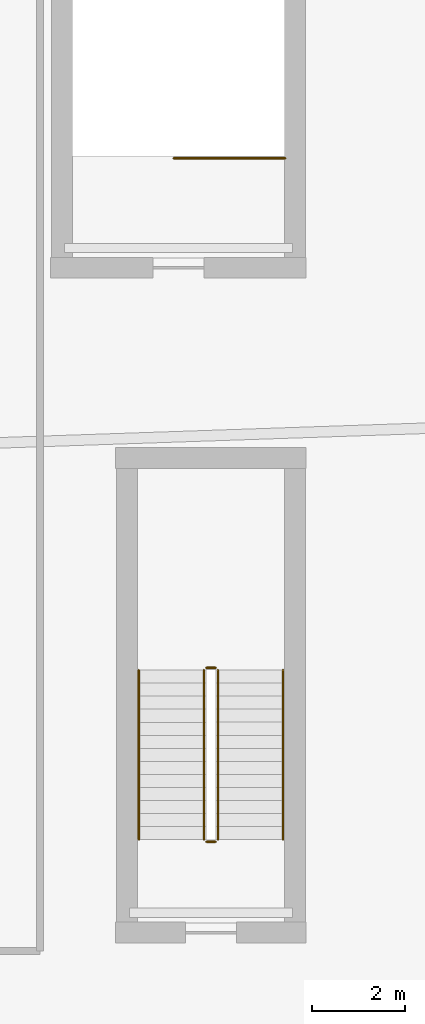
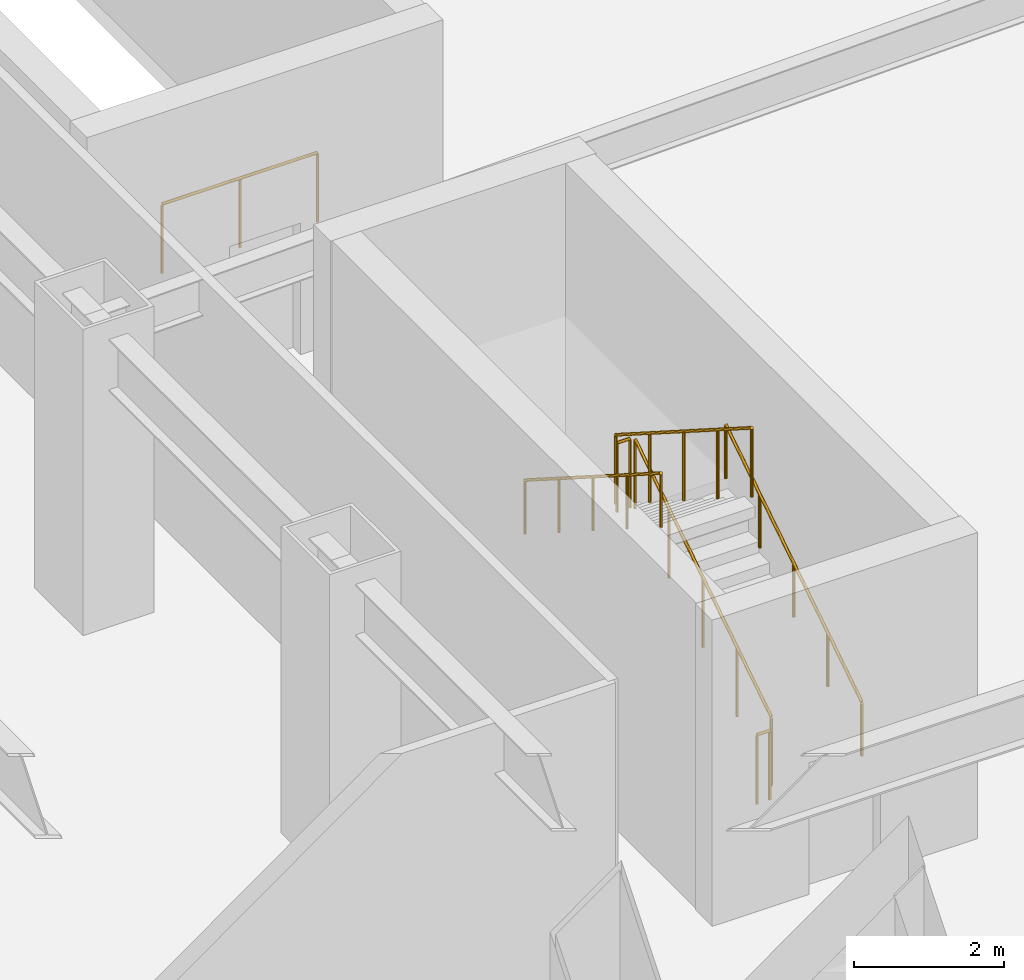
# One storey, part 13 of 14: 7 railings.
"""IFC4 building model written with IfcOpenShell, lengths in metres."""

from ifc_helpers import new_model, si_unit, derived_unit, direction, frame, origin, origin_2d, place, context, subcontext, project, spatial, circle, extrude, material, type_object, element, save


model = new_model("IFC4")

# Units and contexts
model_context = context("Model", 3, precision=1e-05, world=origin(), true_north=direction((0.0, 1.0)))
body_context = subcontext(model_context, "Body", "Model", "MODEL_VIEW")
ifc_project = project(units=[si_unit("LENGTHUNIT", "METRE"), si_unit("AREAUNIT", "SQUARE_METRE"), si_unit("VOLUMEUNIT", "CUBIC_METRE"), si_unit("PLANEANGLEUNIT", "RADIAN"), si_unit("MASSUNIT", "GRAM", prefix="KILO"), derived_unit("THERMALTRANSMITTANCEUNIT", [(si_unit("POWERUNIT", "WATT"), 1), (si_unit("LENGTHUNIT", "METRE"), -2), (si_unit("THERMODYNAMICTEMPERATUREUNIT", "KELVIN"), -1)])], contexts=[model_context])

# Site, building, storey
site_placement = place(None, origin())
site = spatial("IfcSite", under=ifc_project, at=site_placement, CompositionType="ELEMENT")
building_placement = place(site_placement, origin())
building = spatial("IfcBuilding", under=site, at=building_placement, Name="Skarnbrae Concourse Arena and Tower", CompositionType="ELEMENT")
storey_placement = place(building_placement, frame((0.0, 0.0, 21.0)))
storey = spatial("IfcBuildingStorey", under=building, at=storey_placement, Name="L04", CompositionType="ELEMENT", Elevation=21.0)

# Railings
ifc_material = material(Name="Steel CSA G40.21 350W", Category="steel")
railing_type_1 = type_object("IfcRailingType", Name="RAIL-HANDRAIL-900", PredefinedType="HANDRAIL", material=ifc_material)
railing_1_placement = place(storey_placement, frame((67.949951171875, 19.300048828125, 0.178466796875)))
element("IfcRailing", 1, at=railing_1_placement, inside=storey, type_object=railing_type_1, Name="L04 ST-A2 stair handrail 1", PredefinedType="HANDRAIL", context=body_context, shape_type="SweptSolid", body=[
    extrude(circle(Radius=0.02392578125, at=origin_2d()), frame((0.0, 0.0, 0.8759765625), z_axis=(0.0, 0.843111507901, 0.53773877045), x_axis=(-1.0, 0.0, 0.0)), (0.0, 0.0, 1.0), 4.317138671875),
    extrude(circle(Radius=0.02099609375, at=origin_2d()), origin(), (0.0, 0.0, 1.0), 0.851806640625),
    extrude(circle(Radius=0.02099609375, at=origin_2d()), frame((0.0, 0.909912109375, 0.580322265625)), (0.0, 0.0, 1.0), 0.851806640625),
    extrude(circle(Radius=0.02099609375, at=origin_2d()), frame((0.0, 1.81982421875, 1.16064453125)), (0.0, 0.0, 1.0), 0.851806640625),
    extrude(circle(Radius=0.02099609375, at=origin_2d()), frame((0.0, 2.72998046875, 1.7412109375)), (0.0, 0.0, 1.0), 0.851806640625),
    extrude(circle(Radius=0.02099609375, at=origin_2d()), frame((0.0, 3.639892578125, 2.321533203125)), (0.0, 0.0, 1.0), 0.851806640625),
])
railing_2_placement = place(storey_placement, frame((64.85009765625, 22.93994140625, 2.678466796875)))
element("IfcRailing", 2, at=railing_2_placement, inside=storey, type_object=railing_type_1, Name="L04 ST-A2 stair handrail 2", PredefinedType="HANDRAIL", context=body_context, shape_type="SweptSolid", body=[
    extrude(circle(Radius=0.02392578125, at=origin_2d()), frame((0.0, 0.0, 0.8759765625), z_axis=(0.0, -0.843111507901, 0.53773877045), x_axis=(1.0, 0.0, 0.0)), (0.0, 0.0, 1.0), 4.317138671875),
    extrude(circle(Radius=0.02099609375, at=origin_2d()), origin(), (0.0, 0.0, 1.0), 0.851806640625),
    extrude(circle(Radius=0.02099609375, at=origin_2d()), frame((0.0, -0.909912109375, 0.580322265625)), (0.0, 0.0, 1.0), 0.851806640625),
    extrude(circle(Radius=0.02099609375, at=origin_2d()), frame((0.0, -1.81982421875, 1.16064453125)), (0.0, 0.0, 1.0), 0.851806640625),
    extrude(circle(Radius=0.02099609375, at=origin_2d()), frame((0.0, -2.72998046875, 1.7412109375)), (0.0, 0.0, 1.0), 0.851806640625),
    extrude(circle(Radius=0.02099609375, at=origin_2d()), frame((0.0, -3.639892578125, 2.321533203125)), (0.0, 0.0, 1.0), 0.851806640625),
])
railing_type_2 = type_object("IfcRailingType", Name="RAIL-STAIR-GUARD-1150", PredefinedType="GUARDRAIL", material=ifc_material)
railing_3_placement = place(storey_placement, frame((66.550048828125, 19.300048828125, 0.178466796875)))
element("IfcRailing", 3, at=railing_3_placement, inside=storey, type_object=railing_type_2, Name="L04 ST-A2 stair guard 1", PredefinedType="GUARDRAIL", context=body_context, shape_type="SweptSolid", body=[
    extrude(circle(Radius=0.02392578125, at=origin_2d()), frame((0.0, 0.0, 1.1259765625), z_axis=(0.0, 0.843111507901, 0.53773877045), x_axis=(-1.0, 0.0, 0.0)), (0.0, 0.0, 1.0), 4.317138671875),
    extrude(circle(Radius=0.02099609375, at=origin_2d()), origin(), (0.0, 0.0, 1.0), 1.101806640625),
    extrude(circle(Radius=0.02099609375, at=origin_2d()), frame((0.0, 0.909912109375, 0.580322265625)), (0.0, 0.0, 1.0), 1.101806640625),
    extrude(circle(Radius=0.02099609375, at=origin_2d()), frame((0.0, 1.81982421875, 1.16064453125)), (0.0, 0.0, 1.0), 1.101806640625),
    extrude(circle(Radius=0.02099609375, at=origin_2d()), frame((0.0, 2.72998046875, 1.7412109375)), (0.0, 0.0, 1.0), 1.101806640625),
    extrude(circle(Radius=0.02099609375, at=origin_2d()), frame((0.0, 3.639892578125, 2.321533203125)), (0.0, 0.0, 1.0), 1.101806640625),
])
railing_4_placement = place(storey_placement, frame((66.5, 22.989990234375, 2.5)))
element("IfcRailing", 4, at=railing_4_placement, inside=storey, type_object=railing_type_2, Name="L04 ST-A2 stair guard 2", PredefinedType="GUARDRAIL", context=body_context, shape_type="SweptSolid", body=[
    extrude(circle(Radius=0.02392578125, at=origin_2d()), frame((0.0, 0.0, 1.1259765625), z_axis=(-1.0, 0.0, 0.0), x_axis=(0.0, -1.0, 0.0)), (0.0, 0.0, 1.0), 0.199951171875),
    extrude(circle(Radius=0.02099609375, at=origin_2d()), origin(), (0.0, 0.0, 1.0), 1.101806640625),
    extrude(circle(Radius=0.02099609375, at=origin_2d()), frame((-0.199951171875, 0.0, 0.0)), (0.0, 0.0, 1.0), 1.101806640625),
])
railing_5_placement = place(storey_placement, frame((66.25, 22.93994140625, 2.678466796875)))
element("IfcRailing", 5, at=railing_5_placement, inside=storey, type_object=railing_type_2, Name="L04 ST-A2 stair guard 3", PredefinedType="GUARDRAIL", context=body_context, shape_type="SweptSolid", body=[
    extrude(circle(Radius=0.02392578125, at=origin_2d()), frame((0.0, 0.0, 1.1259765625), z_axis=(0.0, -0.843111507901, 0.53773877045), x_axis=(1.0, 0.0, 0.0)), (0.0, 0.0, 1.0), 4.317138671875),
    extrude(circle(Radius=0.02099609375, at=origin_2d()), origin(), (0.0, 0.0, 1.0), 1.101806640625),
    extrude(circle(Radius=0.02099609375, at=origin_2d()), frame((0.0, -0.909912109375, 0.580322265625)), (0.0, 0.0, 1.0), 1.101806640625),
    extrude(circle(Radius=0.02099609375, at=origin_2d()), frame((0.0, -1.81982421875, 1.16064453125)), (0.0, 0.0, 1.0), 1.101806640625),
    extrude(circle(Radius=0.02099609375, at=origin_2d()), frame((0.0, -2.72998046875, 1.7412109375)), (0.0, 0.0, 1.0), 1.101806640625),
    extrude(circle(Radius=0.02099609375, at=origin_2d()), frame((0.0, -3.639892578125, 2.321533203125)), (0.0, 0.0, 1.0), 1.101806640625),
])
railing_6_placement = place(storey_placement, frame((66.5, 19.25, 0.0)))
element("IfcRailing", 6, at=railing_6_placement, inside=storey, type_object=railing_type_2, Name="L04 ST-A2 stair guard 4", PredefinedType="GUARDRAIL", context=body_context, shape_type="SweptSolid", body=[
    extrude(circle(Radius=0.02392578125, at=origin_2d()), frame((0.0, 0.0, 1.1259765625), z_axis=(-1.0, 0.0, 0.0), x_axis=(0.0, -1.0, 0.0)), (0.0, 0.0, 1.0), 0.199951171875),
    extrude(circle(Radius=0.02099609375, at=origin_2d()), origin(), (0.0, 0.0, 1.0), 1.101806640625),
    extrude(circle(Radius=0.02099609375, at=origin_2d()), frame((-0.199951171875, 0.0, 0.0)), (0.0, 0.0, 1.0), 1.101806640625),
])
railing_7_placement = place(storey_placement, frame((68.0, 33.949951171875, 0.0)))
element("IfcRailing", 7, at=railing_7_placement, inside=storey, type_object=railing_type_2, Name="L04 ST-A4 top well guard 1", PredefinedType="GUARDRAIL", context=body_context, shape_type="SweptSolid", body=[
    extrude(circle(Radius=0.02392578125, at=origin_2d()), frame((0.0, 0.0, 1.1259765625), z_axis=(-1.0, 0.0, 0.0), x_axis=(0.0, -1.0, 0.0)), (0.0, 0.0, 1.0), 2.39990234375),
    extrude(circle(Radius=0.02099609375, at=origin_2d()), origin(), (0.0, 0.0, 1.0), 1.101806640625),
    extrude(circle(Radius=0.02099609375, at=origin_2d()), frame((-1.199951171875, 0.0, 0.0)), (0.0, 0.0, 1.0), 1.101806640625),
    extrude(circle(Radius=0.02099609375, at=origin_2d()), frame((-2.39990234375, 0.0, 0.0)), (0.0, 0.0, 1.0), 1.101806640625),
])

save(model, "model.ifc")
